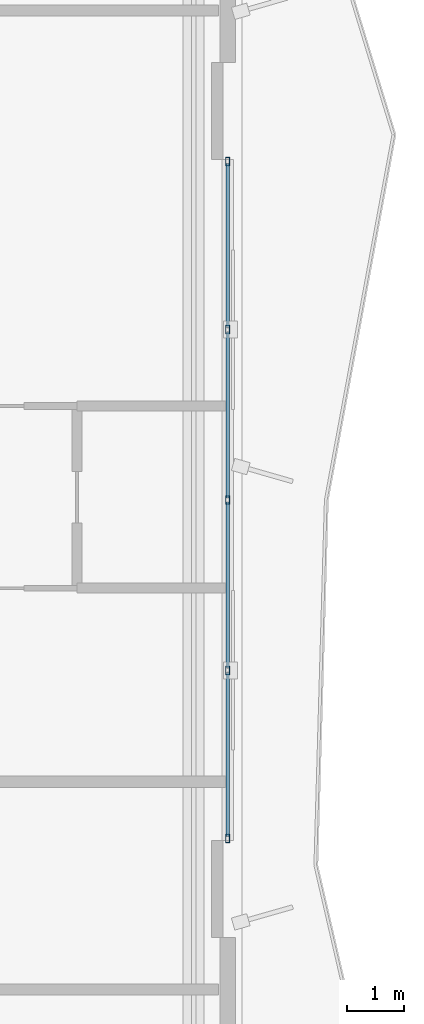
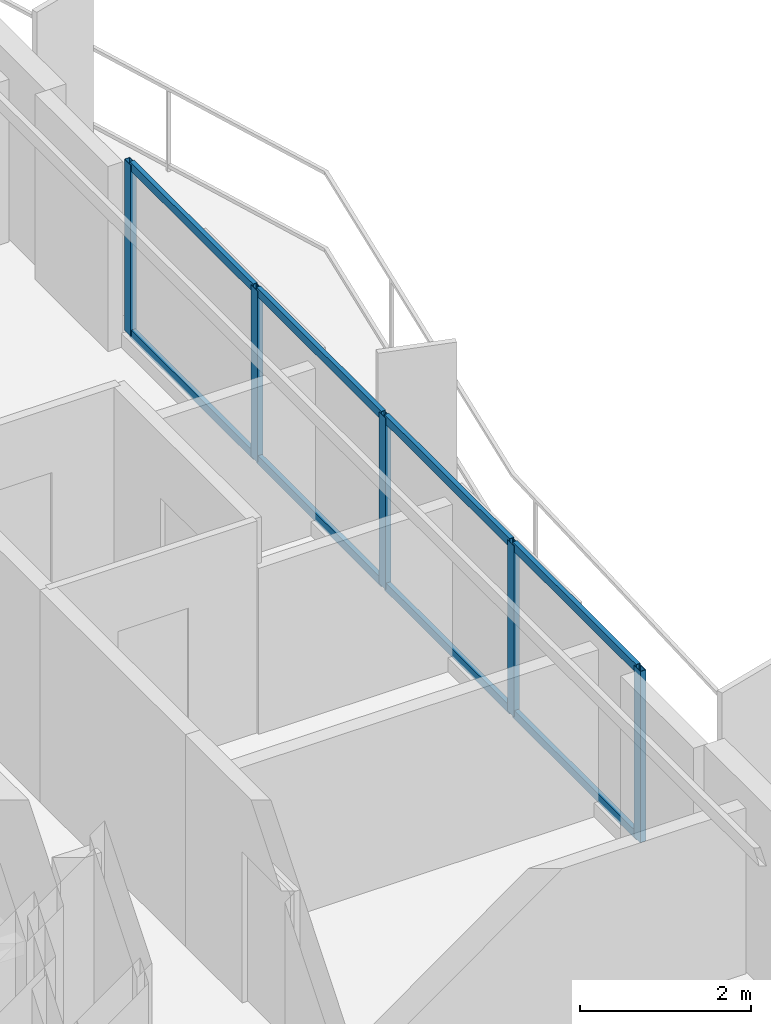
# One storey, part 6 of 18: 13 members, 1 element without a shape of its own.
"""IFC4 building model written with IfcOpenShell, lengths in metres."""

from ifc_helpers import new_model, si_unit, direction, frame, origin, origin_2d, place, context, subcontext, project, spatial, hollow_rectangle, extrude, material, layer, layer_set, material_profile, profile_set, type_object, element, aggregate, save


model = new_model("IFC4")

# Units and contexts
model_context = context("Model", 3, precision=1e-05, world=origin(), true_north=direction((0.0, 1.0)))
body_context = subcontext(model_context, "Body", "Model", "MODEL_VIEW")
ifc_project = project(units=[si_unit("LENGTHUNIT", "METRE"), si_unit("AREAUNIT", "SQUARE_METRE"), si_unit("VOLUMEUNIT", "CUBIC_METRE"), si_unit("PLANEANGLEUNIT", "RADIAN"), si_unit("MASSUNIT", "GRAM", prefix="KILO")], contexts=[model_context])

# Site, building, storey
site_placement = place(None, origin())
site = spatial("IfcSite", under=ifc_project, at=site_placement, CompositionType="ELEMENT")
building_placement = place(site_placement, origin())
building = spatial("IfcBuilding", under=site, at=building_placement, Name="Mersakhor Tower and Convention Hall", CompositionType="ELEMENT")
storey_placement = place(building_placement, frame((0.0, 0.0, 58.800048828125)))
storey = spatial("IfcBuildingStorey", under=building, at=storey_placement, Name="L16", CompositionType="ELEMENT", Elevation=58.800048828125)

# Curtain wall, members
ifc_material_1 = material(Name="Dark solar low-E aluminium curtain wall", Category="aluminium")
ifc_layer = layer(ifc_material_1, 0.159912109375)
ifc_layer_set = layer_set([ifc_layer], Name="Dark solar low-E aluminium curtain wall")
curtain_wall_type = type_object("IfcCurtainWallType", Name="CW-SYS-01", PredefinedType="USERDEFINED", material=ifc_layer_set)
curtain_wall_placement = place(storey_placement, origin())
curtain_wall = element("IfcCurtainWall", 1, at=curtain_wall_placement, inside=storey, type_object=curtain_wall_type, Name="L16 Dark-Glass Curtain Wall F2-B2", ObjectType="CURTAIN WALL", PredefinedType="USERDEFINED")
ifc_material_2 = material(Name="Anodised aluminium EN AW-6063 T6", Category="aluminium")
ifc_material_profile_1 = material_profile(ifc_material_2, hollow_rectangle(XDim=0.074951171875, YDim=0.14990234375, WallThickness=0.00634765625, at=origin_2d()), Name="RHS 150x75x6.3")
ifc_profile_set_1 = profile_set([ifc_material_profile_1], Name="Anodised aluminium EN AW-6063 T6")
member_type_1 = type_object("IfcMemberType", Name="CWM-150x75", PredefinedType="MULLION", material=ifc_profile_set_1)
member_1_placement = place(storey_placement, frame((43.85009765625, 32.69921875, 0.199951171875), z_axis=(0.0, 0.0, 1.0), x_axis=(1.0, 0.0, 0.0)))
member_1 = element("IfcMember", 2, at=member_1_placement, type_object=member_type_1, Name="CW-01 mullion 1", PredefinedType="MULLION", context=body_context, shape_type="SweptSolid", body=[
    extrude(hollow_rectangle(XDim=0.074951171875, YDim=0.14990234375, WallThickness=0.00634765625, at=origin_2d()), origin(), (0.0, 0.0, 1.0), 2.43994140625),
])
member_2_placement = place(storey_placement, frame((43.85009765625, 29.743408203125, 0.199951171875), z_axis=(0.0, 0.0, 1.0), x_axis=(1.0, 0.0, 0.0)))
member_2 = element("IfcMember", 3, at=member_2_placement, type_object=member_type_1, Name="CW-01 mullion 2", PredefinedType="MULLION", context=body_context, shape_type="SweptSolid", body=[
    extrude(hollow_rectangle(XDim=0.074951171875, YDim=0.14990234375, WallThickness=0.00634765625, at=origin_2d()), origin(), (0.0, 0.0, 1.0), 2.43994140625),
])
member_3_placement = place(storey_placement, frame((43.85009765625, 26.75, 0.199951171875), z_axis=(0.0, 0.0, 1.0), x_axis=(1.0, 0.0, 0.0)))
member_3 = element("IfcMember", 4, at=member_3_placement, type_object=member_type_1, Name="CW-01 mullion 3", PredefinedType="MULLION", context=body_context, shape_type="SweptSolid", body=[
    extrude(hollow_rectangle(XDim=0.074951171875, YDim=0.14990234375, WallThickness=0.00634765625, at=origin_2d()), origin(), (0.0, 0.0, 1.0), 2.43994140625),
])
member_4_placement = place(storey_placement, frame((43.85009765625, 23.756591796875, 0.199951171875), z_axis=(0.0, 0.0, 1.0), x_axis=(1.0, 0.0, 0.0)))
member_4 = element("IfcMember", 5, at=member_4_placement, type_object=member_type_1, Name="CW-01 mullion 4", PredefinedType="MULLION", context=body_context, shape_type="SweptSolid", body=[
    extrude(hollow_rectangle(XDim=0.074951171875, YDim=0.14990234375, WallThickness=0.00634765625, at=origin_2d()), origin(), (0.0, 0.0, 1.0), 2.43994140625),
])
member_5_placement = place(storey_placement, frame((43.85009765625, 20.80078125, 0.199951171875), z_axis=(0.0, 0.0, 1.0), x_axis=(1.0, 0.0, 0.0)))
member_5 = element("IfcMember", 6, at=member_5_placement, type_object=member_type_1, Name="CW-01 mullion 5", PredefinedType="MULLION", context=body_context, shape_type="SweptSolid", body=[
    extrude(hollow_rectangle(XDim=0.074951171875, YDim=0.14990234375, WallThickness=0.00634765625, at=origin_2d()), origin(), (0.0, 0.0, 1.0), 2.43994140625),
])
ifc_material_3 = material(Name="Anodised aluminium EN AW-6063 T6", Category="aluminium")
ifc_material_profile_2 = material_profile(ifc_material_3, hollow_rectangle(XDim=0.06005859375, YDim=0.1201171875, WallThickness=0.0048828125, at=origin_2d()), Name="RHS 120x60x5")
ifc_profile_set_2 = profile_set([ifc_material_profile_2], Name="Anodised aluminium EN AW-6063 T6")
member_type_2 = type_object("IfcMemberType", Name="CWT-120x60", PredefinedType="USERDEFINED", material=ifc_profile_set_2)
member_6_placement = place(storey_placement, frame((43.85009765625, 32.66162109375, 0.22998046875), z_axis=(0.0, -1.0, 0.0), x_axis=(1.0, 0.0, 0.0)))
member_6 = element("IfcMember", 7, at=member_6_placement, type_object=member_type_2, Name="CW-01 transom 1.1", ObjectType="TRANSOM", PredefinedType="USERDEFINED", context=body_context, shape_type="SweptSolid", body=[
    extrude(hollow_rectangle(XDim=0.06005859375, YDim=0.1201171875, WallThickness=0.0048828125, at=origin_2d()), origin(), (0.0, 0.0, 1.0), 2.880859375),
])
member_7_placement = place(storey_placement, frame((43.85009765625, 32.66162109375, 2.60986328125), z_axis=(0.0, -1.0, 0.0), x_axis=(1.0, 0.0, 0.0)))
member_7 = element("IfcMember", 8, at=member_7_placement, type_object=member_type_2, Name="CW-01 transom 1.2", ObjectType="TRANSOM", PredefinedType="USERDEFINED", context=body_context, shape_type="SweptSolid", body=[
    extrude(hollow_rectangle(XDim=0.06005859375, YDim=0.1201171875, WallThickness=0.0048828125, at=origin_2d()), origin(), (0.0, 0.0, 1.0), 2.880859375),
])
member_8_placement = place(storey_placement, frame((43.85009765625, 29.705810546875, 0.22998046875), z_axis=(0.0, -1.0, 0.0), x_axis=(1.0, 0.0, 0.0)))
member_8 = element("IfcMember", 9, at=member_8_placement, type_object=member_type_2, Name="CW-01 transom 2.1", ObjectType="TRANSOM", PredefinedType="USERDEFINED", context=body_context, shape_type="SweptSolid", body=[
    extrude(hollow_rectangle(XDim=0.06005859375, YDim=0.1201171875, WallThickness=0.0048828125, at=origin_2d()), origin(), (0.0, 0.0, 1.0), 2.918212890625),
])
member_9_placement = place(storey_placement, frame((43.85009765625, 29.705810546875, 2.60986328125), z_axis=(0.0, -1.0, 0.0), x_axis=(1.0, 0.0, 0.0)))
member_9 = element("IfcMember", 10, at=member_9_placement, type_object=member_type_2, Name="CW-01 transom 2.2", ObjectType="TRANSOM", PredefinedType="USERDEFINED", context=body_context, shape_type="SweptSolid", body=[
    extrude(hollow_rectangle(XDim=0.06005859375, YDim=0.1201171875, WallThickness=0.0048828125, at=origin_2d()), origin(), (0.0, 0.0, 1.0), 2.918212890625),
])
member_10_placement = place(storey_placement, frame((43.85009765625, 26.71240234375, 0.22998046875), z_axis=(0.0, -1.0, 0.0), x_axis=(1.0, 0.0, 0.0)))
member_10 = element("IfcMember", 11, at=member_10_placement, type_object=member_type_2, Name="CW-01 transom 3.1", ObjectType="TRANSOM", PredefinedType="USERDEFINED", context=body_context, shape_type="SweptSolid", body=[
    extrude(hollow_rectangle(XDim=0.06005859375, YDim=0.1201171875, WallThickness=0.0048828125, at=origin_2d()), origin(), (0.0, 0.0, 1.0), 2.918212890625),
])
member_11_placement = place(storey_placement, frame((43.85009765625, 26.71240234375, 2.60986328125), z_axis=(0.0, -1.0, 0.0), x_axis=(1.0, 0.0, 0.0)))
member_11 = element("IfcMember", 12, at=member_11_placement, type_object=member_type_2, Name="CW-01 transom 3.2", ObjectType="TRANSOM", PredefinedType="USERDEFINED", context=body_context, shape_type="SweptSolid", body=[
    extrude(hollow_rectangle(XDim=0.06005859375, YDim=0.1201171875, WallThickness=0.0048828125, at=origin_2d()), origin(), (0.0, 0.0, 1.0), 2.918212890625),
])
member_12_placement = place(storey_placement, frame((43.85009765625, 23.71923828125, 0.22998046875), z_axis=(0.0, -1.0, 0.0), x_axis=(1.0, 0.0, 0.0)))
member_12 = element("IfcMember", 13, at=member_12_placement, type_object=member_type_2, Name="CW-01 transom 4.1", ObjectType="TRANSOM", PredefinedType="USERDEFINED", context=body_context, shape_type="SweptSolid", body=[
    extrude(hollow_rectangle(XDim=0.06005859375, YDim=0.1201171875, WallThickness=0.0048828125, at=origin_2d()), origin(), (0.0, 0.0, 1.0), 2.880859375),
])
member_13_placement = place(storey_placement, frame((43.85009765625, 23.71923828125, 2.60986328125), z_axis=(0.0, -1.0, 0.0), x_axis=(1.0, 0.0, 0.0)))
member_13 = element("IfcMember", 14, at=member_13_placement, type_object=member_type_2, Name="CW-01 transom 4.2", ObjectType="TRANSOM", PredefinedType="USERDEFINED", context=body_context, shape_type="SweptSolid", body=[
    extrude(hollow_rectangle(XDim=0.06005859375, YDim=0.1201171875, WallThickness=0.0048828125, at=origin_2d()), origin(), (0.0, 0.0, 1.0), 2.880859375),
])
aggregate(curtain_wall, [member_1, member_2, member_3, member_4, member_5, member_6, member_7, member_8, member_9, member_10, member_11, member_12, member_13])

save(model, "model.ifc")
